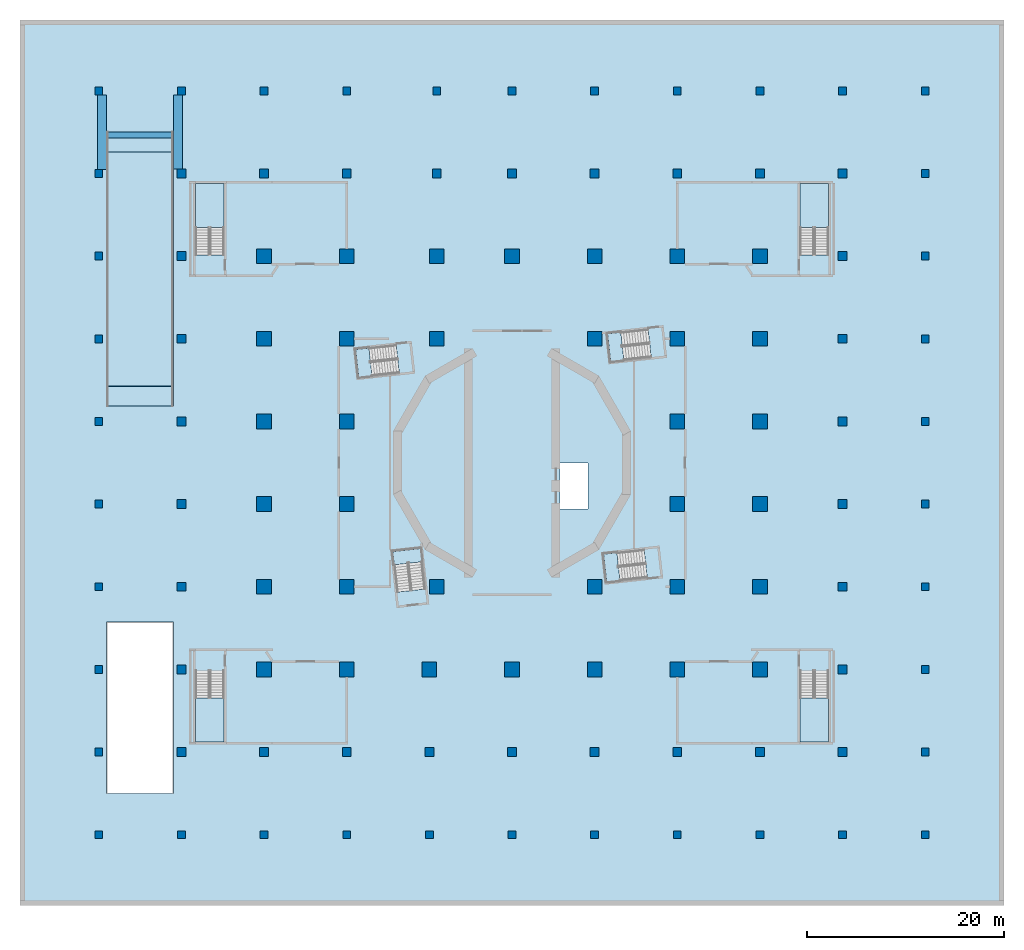
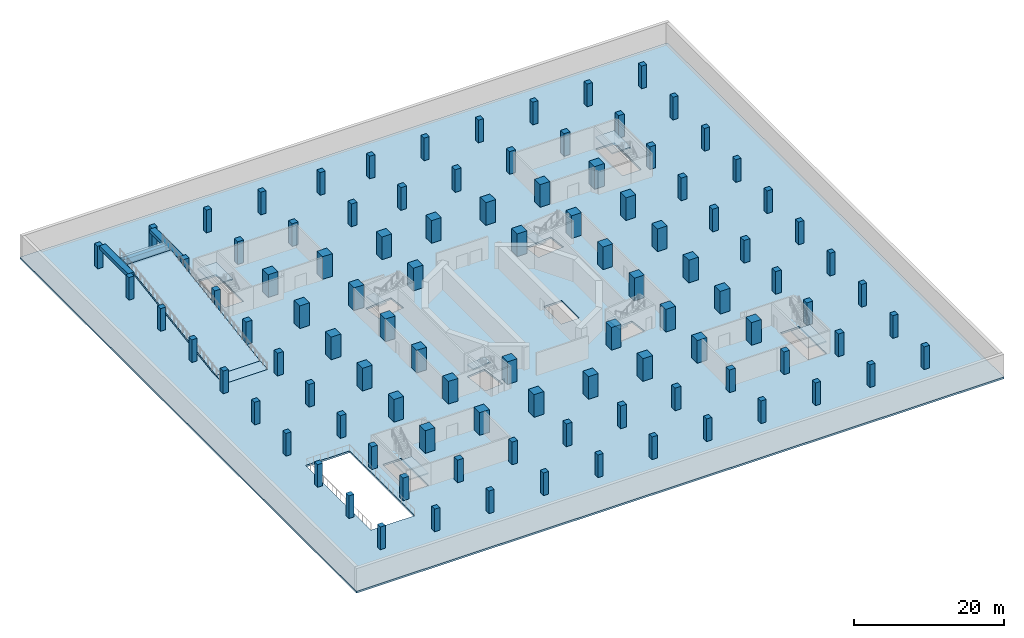
# One storey, part 1 of 18: 102 columns, 12 slabs, 3 beams, 8 elements without a shape of their own.
"""IFC4 building model written with IfcOpenShell, lengths in metres."""

from ifc_helpers import new_model, si_unit, direction, frame, origin, origin_2d, place, context, subcontext, project, spatial, polyline, rectangle, outline, extrude, clip, halfspace, material, layer, layer_set, material_profile, profile_set, type_object, element, aggregate, save


model = new_model("IFC4")

# Units and contexts
model_context = context("Model", 3, precision=1e-05, world=origin(), true_north=direction((0.0, 1.0)))
body_context = subcontext(model_context, "Body", "Model", "MODEL_VIEW")
ifc_project = project(units=[si_unit("LENGTHUNIT", "METRE"), si_unit("AREAUNIT", "SQUARE_METRE"), si_unit("VOLUMEUNIT", "CUBIC_METRE"), si_unit("PLANEANGLEUNIT", "RADIAN"), si_unit("MASSUNIT", "GRAM", prefix="KILO")], contexts=[model_context])

# Site, building, storey
site_placement = place(None, origin())
site = spatial("IfcSite", under=ifc_project, at=site_placement, CompositionType="ELEMENT")
building_placement = place(site_placement, origin())
building = spatial("IfcBuilding", under=site, at=building_placement, Name="Cantera Rosa Tower", CompositionType="ELEMENT")
storey_placement = place(building_placement, frame((0.0, 0.0, -13.0)))
storey = spatial("IfcBuildingStorey", under=building, at=storey_placement, Name="B3", CompositionType="ELEMENT", Elevation=-13.0)

# Columns
ifc_material_1 = material(Name="Concrete C60/75", Category="concrete")
ifc_material_profile_1 = material_profile(ifc_material_1, rectangle(XDim=1.5, YDim=1.5, at=origin_2d()), Name="Column 1500x1500")
ifc_profile_set_1 = profile_set([ifc_material_profile_1], Name="Concrete C60/75")
column_type_1 = type_object("IfcColumnType", Name="Column 1500x1500", PredefinedType="COLUMN", material=ifc_profile_set_1)
for number, where, z_axis, x_axis, name in (
    (1, (-25.199951171875, -21.0, 0.0), (0.0, 0.0, 1.0), (1.0, 0.0, 0.0), "Column C-P-2B"),
    (2, (-25.199951171875, -12.60009765625, 0.0), (0.0, 0.0, 1.0), (1.0, 0.0, 0.0), "Column C-P-2C"),
    (3, (-25.199951171875, -4.199951171875, 0.0), (0.0, 0.0, 1.0), (1.0, 0.0, 0.0), "Column C-P-2D"),
    (4, (-25.199951171875, 4.199951171875, 0.0), (0.0, 0.0, 1.0), (1.0, 0.0, 0.0), "Column C-P-2E"),
    (5, (-25.199951171875, 12.60009765625, 0.0), (0.0, 0.0, 1.0), (1.0, 0.0, 0.0), "Column C-P-2F"),
    (6, (-25.199951171875, 21.0, 0.0), (0.0, 0.0, 1.0), (1.0, 0.0, 0.0), "Column C-P-2G"),
    (7, (-16.800048828125, -21.0, 0.0), (0.0, 0.0, 1.0), (1.0, 0.0, 0.0), "Column C-P-3B"),
    (8, (-16.800048828125, -12.60009765625, 0.0), (0.0, 0.0, 1.0), (1.0, 0.0, 0.0), "Column C-P-3C"),
    (9, (-16.800048828125, -4.199951171875, 0.0), (0.0, 0.0, 1.0), (1.0, 0.0, 0.0), "Column C-P-3D"),
    (10, (-16.800048828125, 4.199951171875, 0.0), (0.0, 0.0, 1.0), (1.0, 0.0, 0.0), "Column C-P-3E"),
    (11, (-16.800048828125, 12.60009765625, 0.0), (0.0, 0.0, 1.0), (1.0, 0.0, 0.0), "Column C-P-3F"),
    (12, (-16.800048828125, 21.0, 0.0), (0.0, 0.0, 1.0), (1.0, 0.0, 0.0), "Column C-P-3G"),
    (13, (-8.39990234375, -21.0, 0.0), (0.0, 0.0, 1.0), (1.0, 0.0, 0.0), "Column C-P-4B"),
    (14, (-7.64990234375, -12.60009765625, 0.0), (0.0, 0.0, 1.0), (1.0, 0.0, 0.0), "Column C-P-4C"),
    (15, (-7.64990234375, 12.60009765625, 0.0), (0.0, 0.0, 1.0), (1.0, 0.0, 0.0), "Column C-B-4N2"),
    (16, (-7.64990234375, 21.0, 0.0), (0.0, 0.0, 1.0), (1.0, 0.0, 0.0), "Column C-B-4N3"),
    (17, (0.0, -21.0, 0.0), (0.0, 0.0, 1.0), (1.0, 0.0, 0.0), "Column C-P-5B"),
    (18, (0.0, 21.0, 0.0), (0.0, 0.0, 1.0), (1.0, 0.0, 0.0), "Column C-P-5G"),
    (19, (8.39990234375, -21.0, 0.0), (0.0, 0.0, 1.0), (1.0, 0.0, 0.0), "Column C-P-6B"),
    (20, (8.39990234375, -12.60009765625, 0.0), (0.0, 0.0, 1.0), (1.0, 0.0, 0.0), "Column C-P-6C"),
    (21, (8.39990234375, 12.60009765625, 0.0), (0.0, 0.0, 1.0), (1.0, 0.0, 0.0), "Column C-P-6F"),
    (22, (8.39990234375, 21.0, 0.0), (0.0, 0.0, 1.0), (1.0, 0.0, 0.0), "Column C-P-6G"),
    (23, (16.800048828125, -21.0, 0.0), (0.0, 0.0, 1.0), (1.0, 0.0, 0.0), "Column C-P-7B"),
    (24, (16.800048828125, -12.60009765625, 0.0), (0.0, 0.0, 1.0), (1.0, 0.0, 0.0), "Column C-P-7C"),
    (25, (16.800048828125, -4.199951171875, 0.0), (0.0, 0.0, 1.0), (1.0, 0.0, 0.0), "Column C-P-7D"),
    (26, (16.800048828125, 4.199951171875, 0.0), (0.0, 0.0, 1.0), (1.0, 0.0, 0.0), "Column C-P-7E"),
    (27, (16.800048828125, 12.60009765625, 0.0), (0.0, 0.0, 1.0), (1.0, 0.0, 0.0), "Column C-P-7F"),
    (28, (16.800048828125, 21.0, 0.0), (0.0, 0.0, 1.0), (1.0, 0.0, 0.0), "Column C-P-7G"),
    (29, (25.199951171875, -21.0, 0.0), (0.0, 0.0, 1.0), (1.0, 0.0, 0.0), "Column C-P-8B"),
    (30, (25.199951171875, -12.60009765625, 0.0), (0.0, 0.0, 1.0), (1.0, 0.0, 0.0), "Column C-P-8C"),
    (31, (25.199951171875, -4.199951171875, 0.0), (0.0, 0.0, 1.0), (1.0, 0.0, 0.0), "Column C-P-8D"),
    (32, (25.199951171875, 4.199951171875, 0.0), (0.0, 0.0, 1.0), (1.0, 0.0, 0.0), "Column C-P-8E"),
    (33, (25.199951171875, 12.60009765625, 0.0), (0.0, 0.0, 1.0), (1.0, 0.0, 0.0), "Column C-P-8F"),
    (34, (25.199951171875, 21.0, 0.0), (0.0, 0.0, 1.0), (1.0, 0.0, 0.0), "Column C-P-8G"),
):
    element("IfcColumn", number, at=place(storey_placement, frame(where, z_axis=z_axis, x_axis=x_axis)), inside=storey, type_object=column_type_1, Name=name, PredefinedType="COLUMN", context=body_context, shape_type="SweptSolid", body=[
        extrude(rectangle(XDim=1.5, YDim=1.5, at=origin_2d()), origin(), (0.0, 0.0, 1.0), 3.699951171875),
    ])
ifc_material_2 = material(Name="Concrete C60/75", Category="concrete")
ifc_material_profile_2 = material_profile(ifc_material_2, rectangle(XDim=0.800048828125, YDim=0.800048828125, at=origin_2d()), Name="Column 800x800")
ifc_profile_set_2 = profile_set([ifc_material_profile_2], Name="Concrete C60/75")
column_type_2 = type_object("IfcColumnType", Name="Column 800x800", PredefinedType="COLUMN", material=ifc_profile_set_2)
for number, where, z_axis, x_axis, name in (
    (35, (-42.0, -37.800048828125, 0.0), (0.0, 0.0, 1.0), (1.0, 0.0, 0.0), "Column C-B-0S5"),
    (36, (-42.0, -29.39990234375, 0.0), (0.0, 0.0, 1.0), (1.0, 0.0, 0.0), "Column C-B-0S4"),
    (37, (-42.0, -21.0, 0.0), (0.0, 0.0, 1.0), (1.0, 0.0, 0.0), "Column C-B-0S3"),
    (38, (-42.0, -12.60009765625, 0.0), (0.0, 0.0, 1.0), (1.0, 0.0, 0.0), "Column C-B-0S2"),
    (39, (-42.0, -4.199951171875, 0.0), (0.0, 0.0, 1.0), (1.0, 0.0, 0.0), "Column C-B-0S1"),
    (40, (-42.0, 4.199951171875, 0.0), (0.0, 0.0, 1.0), (1.0, 0.0, 0.0), "Column C-B-0N1"),
    (41, (-42.0, 12.60009765625, 0.0), (0.0, 0.0, 1.0), (1.0, 0.0, 0.0), "Column C-B-0N2"),
    (42, (-42.0, 21.0, 0.0), (0.0, 0.0, 1.0), (1.0, 0.0, 0.0), "Column C-B-0N3"),
    (43, (-42.0, 29.39990234375, 0.0), (0.0, 0.0, 1.0), (1.0, 0.0, 0.0), "Column C-B-0N4"),
    (44, (-42.0, 37.800048828125, 0.0), (0.0, 0.0, 1.0), (1.0, 0.0, 0.0), "Column C-B-0N5"),
    (45, (-33.60009765625, -37.800048828125, 0.0), (0.0, 0.0, 1.0), (1.0, 0.0, 0.0), "Column C-B-1S5"),
    (46, (-33.60009765625, 37.800048828125, 0.0), (0.0, 0.0, 1.0), (1.0, 0.0, 0.0), "Column C-B-1N5"),
    (47, (-25.199951171875, -37.800048828125, 0.0), (0.0, 0.0, 1.0), (1.0, 0.0, 0.0), "Column C-B-2S5"),
    (48, (-25.199951171875, 37.800048828125, 0.0), (0.0, 0.0, 1.0), (1.0, 0.0, 0.0), "Column C-B-2N5"),
    (49, (-16.800048828125, -37.800048828125, 0.0), (0.0, 0.0, 1.0), (1.0, 0.0, 0.0), "Column C-B-3S5"),
    (50, (-16.800048828125, 37.800048828125, 0.0), (0.0, 0.0, 1.0), (1.0, 0.0, 0.0), "Column C-B-3N5"),
    (51, (-8.39990234375, -37.800048828125, 0.0), (0.0, 0.0, 1.0), (1.0, 0.0, 0.0), "Column C-B-4S5"),
    (52, (-7.64990234375, 37.800048828125, 0.0), (0.0, 0.0, 1.0), (1.0, 0.0, 0.0), "Column C-B-4N5"),
    (53, (0.0, -37.800048828125, 0.0), (0.0, 0.0, 1.0), (1.0, 0.0, 0.0), "Column C-B-5S5"),
    (54, (0.0, 37.800048828125, 0.0), (0.0, 0.0, 1.0), (1.0, 0.0, 0.0), "Column C-B-5N5"),
    (55, (8.39990234375, -37.800048828125, 0.0), (0.0, 0.0, 1.0), (1.0, 0.0, 0.0), "Column C-B-6S5"),
    (56, (8.39990234375, 37.800048828125, 0.0), (0.0, 0.0, 1.0), (1.0, 0.0, 0.0), "Column C-B-6N5"),
    (57, (16.800048828125, -37.800048828125, 0.0), (0.0, 0.0, 1.0), (1.0, 0.0, 0.0), "Column C-B-7S5"),
    (58, (16.800048828125, 37.800048828125, 0.0), (0.0, 0.0, 1.0), (1.0, 0.0, 0.0), "Column C-B-7N5"),
    (59, (25.199951171875, -37.800048828125, 0.0), (0.0, 0.0, 1.0), (1.0, 0.0, 0.0), "Column C-B-8S5"),
    (60, (25.199951171875, 37.800048828125, 0.0), (0.0, 0.0, 1.0), (1.0, 0.0, 0.0), "Column C-B-8N5"),
    (61, (33.60009765625, -37.800048828125, 0.0), (0.0, 0.0, 1.0), (1.0, 0.0, 0.0), "Column C-B-9S5"),
    (62, (33.60009765625, 37.800048828125, 0.0), (0.0, 0.0, 1.0), (1.0, 0.0, 0.0), "Column C-B-9N5"),
    (63, (42.0, -37.800048828125, 0.0), (0.0, 0.0, 1.0), (1.0, 0.0, 0.0), "Column C-B-10S5"),
    (64, (42.0, -29.39990234375, 0.0), (0.0, 0.0, 1.0), (1.0, 0.0, 0.0), "Column C-B-10S4"),
    (65, (42.0, -21.0, 0.0), (0.0, 0.0, 1.0), (1.0, 0.0, 0.0), "Column C-B-10S3"),
    (66, (42.0, -12.60009765625, 0.0), (0.0, 0.0, 1.0), (1.0, 0.0, 0.0), "Column C-B-10S2"),
    (67, (42.0, -4.199951171875, 0.0), (0.0, 0.0, 1.0), (1.0, 0.0, 0.0), "Column C-B-10S1"),
    (68, (42.0, 4.199951171875, 0.0), (0.0, 0.0, 1.0), (1.0, 0.0, 0.0), "Column C-B-10N1"),
    (69, (42.0, 12.60009765625, 0.0), (0.0, 0.0, 1.0), (1.0, 0.0, 0.0), "Column C-B-10N2"),
    (70, (42.0, 21.0, 0.0), (0.0, 0.0, 1.0), (1.0, 0.0, 0.0), "Column C-B-10N3"),
    (71, (42.0, 29.39990234375, 0.0), (0.0, 0.0, 1.0), (1.0, 0.0, 0.0), "Column C-B-10N4"),
    (72, (42.0, 37.800048828125, 0.0), (0.0, 0.0, 1.0), (1.0, 0.0, 0.0), "Column C-B-10N5"),
):
    element("IfcColumn", number, at=place(storey_placement, frame(where, z_axis=z_axis, x_axis=x_axis)), inside=storey, type_object=column_type_2, Name=name, PredefinedType="COLUMN", context=body_context, shape_type="SweptSolid", body=[
        extrude(rectangle(XDim=0.800048828125, YDim=0.800048828125, at=origin_2d()), origin(), (0.0, 0.0, 1.0), 3.699951171875),
    ])
ifc_material_3 = material(Name="Concrete C60/75", Category="concrete")
ifc_material_profile_3 = material_profile(ifc_material_3, rectangle(XDim=0.89990234375, YDim=0.89990234375, at=origin_2d()), Name="Column 900x900")
ifc_profile_set_3 = profile_set([ifc_material_profile_3], Name="Concrete C60/75")
column_type_3 = type_object("IfcColumnType", Name="Column 900x900", PredefinedType="COLUMN", material=ifc_profile_set_3)
for number, where, z_axis, x_axis, name in (
    (73, (-33.60009765625, -29.39990234375, 0.0), (0.0, 0.0, 1.0), (1.0, 0.0, 0.0), "Column C-P-1A"),
    (74, (-33.60009765625, -21.0, 0.0), (0.0, 0.0, 1.0), (1.0, 0.0, 0.0), "Column C-P-1B"),
    (75, (-33.60009765625, -12.60009765625, 0.0), (0.0, 0.0, 1.0), (1.0, 0.0, 0.0), "Column C-P-1C"),
    (76, (-33.60009765625, -4.199951171875, 0.0), (0.0, 0.0, 1.0), (1.0, 0.0, 0.0), "Column C-P-1D"),
    (77, (-33.60009765625, 4.199951171875, 0.0), (0.0, 0.0, 1.0), (1.0, 0.0, 0.0), "Column C-P-1E"),
    (78, (-33.60009765625, 12.60009765625, 0.0), (0.0, 0.0, 1.0), (1.0, 0.0, 0.0), "Column C-P-1F"),
    (79, (-33.60009765625, 21.0, 0.0), (0.0, 0.0, 1.0), (1.0, 0.0, 0.0), "Column C-P-1G"),
    (80, (-33.60009765625, 29.39990234375, 0.0), (0.0, 0.0, 1.0), (1.0, 0.0, 0.0), "Column C-P-1H"),
    (81, (-25.199951171875, -29.39990234375, 0.0), (0.0, 0.0, 1.0), (1.0, 0.0, 0.0), "Column C-P-2A"),
    (82, (-25.199951171875, 29.39990234375, 0.0), (0.0, 0.0, 1.0), (1.0, 0.0, 0.0), "Column C-P-2H"),
    (83, (-16.800048828125, -29.39990234375, 0.0), (0.0, 0.0, 1.0), (1.0, 0.0, 0.0), "Column C-P-3A"),
    (84, (-16.800048828125, 29.39990234375, 0.0), (0.0, 0.0, 1.0), (1.0, 0.0, 0.0), "Column C-P-3H"),
    (85, (-8.39990234375, -29.39990234375, 0.0), (0.0, 0.0, 1.0), (1.0, 0.0, 0.0), "Column C-P-4A"),
    (86, (-7.64990234375, 29.39990234375, 0.0), (0.0, 0.0, 1.0), (1.0, 0.0, 0.0), "Column C-B-4N4"),
    (87, (0.0, -29.39990234375, 0.0), (0.0, 0.0, 1.0), (1.0, 0.0, 0.0), "Column C-P-5A"),
    (88, (0.0, 29.39990234375, 0.0), (0.0, 0.0, 1.0), (1.0, 0.0, 0.0), "Column C-P-5H"),
    (89, (8.39990234375, -29.39990234375, 0.0), (0.0, 0.0, 1.0), (1.0, 0.0, 0.0), "Column C-P-6A"),
    (90, (8.39990234375, 29.39990234375, 0.0), (0.0, 0.0, 1.0), (1.0, 0.0, 0.0), "Column C-P-6H"),
    (91, (16.800048828125, -29.39990234375, 0.0), (0.0, 0.0, 1.0), (1.0, 0.0, 0.0), "Column C-P-7A"),
    (92, (16.800048828125, 29.39990234375, 0.0), (0.0, 0.0, 1.0), (1.0, 0.0, 0.0), "Column C-P-7H"),
    (93, (25.199951171875, -29.39990234375, 0.0), (0.0, 0.0, 1.0), (1.0, 0.0, 0.0), "Column C-P-8A"),
    (94, (25.199951171875, 29.39990234375, 0.0), (0.0, 0.0, 1.0), (1.0, 0.0, 0.0), "Column C-P-8H"),
    (95, (33.60009765625, -29.39990234375, 0.0), (0.0, 0.0, 1.0), (1.0, 0.0, 0.0), "Column C-P-9A"),
    (96, (33.60009765625, -21.0, 0.0), (0.0, 0.0, 1.0), (1.0, 0.0, 0.0), "Column C-P-9B"),
    (97, (33.60009765625, -12.60009765625, 0.0), (0.0, 0.0, 1.0), (1.0, 0.0, 0.0), "Column C-P-9C"),
    (98, (33.60009765625, -4.199951171875, 0.0), (0.0, 0.0, 1.0), (1.0, 0.0, 0.0), "Column C-P-9D"),
    (99, (33.60009765625, 4.199951171875, 0.0), (0.0, 0.0, 1.0), (1.0, 0.0, 0.0), "Column C-P-9E"),
    (100, (33.60009765625, 12.60009765625, 0.0), (0.0, 0.0, 1.0), (1.0, 0.0, 0.0), "Column C-P-9F"),
    (101, (33.60009765625, 21.0, 0.0), (0.0, 0.0, 1.0), (1.0, 0.0, 0.0), "Column C-P-9G"),
    (102, (33.60009765625, 29.39990234375, 0.0), (0.0, 0.0, 1.0), (1.0, 0.0, 0.0), "Column C-P-9H"),
):
    element("IfcColumn", number, at=place(storey_placement, frame(where, z_axis=z_axis, x_axis=x_axis)), inside=storey, type_object=column_type_3, Name=name, PredefinedType="COLUMN", context=body_context, shape_type="SweptSolid", body=[
        extrude(rectangle(XDim=0.89990234375, YDim=0.89990234375, at=origin_2d()), origin(), (0.0, 0.0, 1.0), 3.699951171875),
    ])

# Beams
ifc_material_4 = material(Name="Concrete C35/45", Category="concrete")
ifc_material_profile_4 = material_profile(ifc_material_4, rectangle(XDim=0.60009765625, YDim=0.800048828125, at=origin_2d()), Name="RC cross beam 600x800")
ifc_profile_set_4 = profile_set([ifc_material_profile_4], Name="Concrete C35/45")
beam_type_1 = type_object("IfcBeamType", Name="RC cross beam 600x800", PredefinedType="BEAM", material=ifc_profile_set_4)
beam_1_placement = place(storey_placement, frame((-41.199951171875, 33.300048828125, 3.248779296875), z_axis=(1.0, 0.0, 0.0), x_axis=(0.0, 1.0, 0.0)))
element("IfcBeam", 103, at=beam_1_placement, inside=storey, type_object=beam_type_1, Name="Ramp cross beam RX3", PredefinedType="BEAM", context=body_context, shape_type="SweptSolid", body=[
    extrude(rectangle(XDim=0.60009765625, YDim=0.800048828125, at=origin_2d()), origin(), (0.0, 0.0, 1.0), 6.800048828125),
])
ifc_material_5 = material(Name="Concrete C35/45", Category="concrete")
ifc_material_profile_5 = material_profile(ifc_material_5, rectangle(XDim=0.89990234375, YDim=0.60009765625, at=origin_2d()), Name="RC edge beam 900x600")
ifc_profile_set_5 = profile_set([ifc_material_profile_5], Name="Concrete C35/45")
beam_type_2 = type_object("IfcBeamType", Name="RC edge beam 900x600", PredefinedType="BEAM", material=ifc_profile_set_5)
beam_2_placement = place(storey_placement, frame((-41.64990234375, 29.800048828125, 3.39990234375), z_axis=(0.0, 1.0, 0.0), x_axis=(-1.0, 0.0, 0.0)))
element("IfcBeam", 104, at=beam_2_placement, inside=storey, type_object=beam_type_2, Name="Ramp edge beam RE3-W", PredefinedType="BEAM", context=body_context, shape_type="SweptSolid", body=[
    extrude(rectangle(XDim=0.89990234375, YDim=0.60009765625, at=origin_2d()), origin(), (0.0, 0.0, 1.0), 7.599853515625),
])
beam_3_placement = place(storey_placement, frame((-33.949951171875, 29.85009765625, 3.39990234375), z_axis=(0.0, 1.0, 0.0), x_axis=(-1.0, 0.0, 0.0)))
element("IfcBeam", 105, at=beam_3_placement, inside=storey, type_object=beam_type_2, Name="Ramp edge beam RE3-E", PredefinedType="BEAM", context=body_context, shape_type="SweptSolid", body=[
    extrude(rectangle(XDim=0.89990234375, YDim=0.60009765625, at=origin_2d()), origin(), (0.0, 0.0, 1.0), 7.5498046875),
])

# Slabs
ifc_material_6 = material(Name="Concrete C35/45", Category="concrete")
ifc_layer_1 = layer(ifc_material_6, 0.300048828125)
ifc_layer_set_1 = layer_set([ifc_layer_1], Name="Flat slab 300")
slab_type_1 = type_object("IfcSlabType", Name="Flat slab 300", PredefinedType="FLOOR", material=ifc_layer_set_1)
slab_1_placement = place(storey_placement, frame((0.0, 0.0, -0.300048828125)))
element("IfcSlab", 106, at=slab_1_placement, inside=storey, type_object=slab_type_1, Name="Floor slab B3", PredefinedType="FLOOR", context=body_context, shape_type="SweptSolid", body=[
    extrude(outline(polyline([(-50.0, -45.0), (50.0, -45.0), (50.0, 45.0), (-50.0, 45.0), (-50.0, -45.0)]), holes=[polyline([(29.27490234375, -28.375), (32.175048828125, -28.375), (32.175048828125, -21.136962890625), (29.27490234375, -21.136962890625), (29.27490234375, -28.375)]), polyline([(32.175048828125, 28.375), (29.27490234375, 28.375), (29.27490234375, 21.136962890625), (32.175048828125, 21.136962890625), (32.175048828125, 28.375)]), polyline([(9.709716796875, 13.11279296875), (10.02392578125, 10.2802734375), (14.13671875, 10.73681640625), (13.822265625, 13.5693359375), (9.709716796875, 13.11279296875)]), polyline([(9.3095703125, -9.287109375), (9.6240234375, -12.11962890625), (13.73681640625, -11.6630859375), (13.42236328125, -8.83056640625), (9.3095703125, -9.287109375)]), polyline([(4.89990234375, -4.699951171875), (7.699951171875, -4.699951171875), (7.699951171875, 0.0), (4.89990234375, 0.0), (4.89990234375, -4.699951171875)]), polyline([(-12.11962890625, -9.02392578125), (-11.6630859375, -13.13671875), (-8.83056640625, -12.822265625), (-9.287109375, -8.709716796875), (-12.11962890625, -9.02392578125)]), polyline([(-15.890380859375, 11.512939453125), (-15.575927734375, 8.680419921875), (-11.46337890625, 9.13671875), (-11.777587890625, 11.969482421875), (-15.890380859375, 11.512939453125)]), polyline([(-29.27490234375, -28.375), (-29.27490234375, -21.136962890625), (-32.175048828125, -21.136962890625), (-32.175048828125, -28.375), (-29.27490234375, -28.375)]), polyline([(-32.175048828125, 28.375), (-32.175048828125, 21.136962890625), (-29.27490234375, 21.136962890625), (-29.27490234375, 28.375), (-32.175048828125, 28.375)]), polyline([(-41.199951171875, -16.166748046875), (-41.199951171875, -33.60009765625), (-34.39990234375, -33.60009765625), (-34.39990234375, -16.166748046875), (-41.199951171875, -16.166748046875)])]), origin(), (0.0, 0.0, 1.0), 0.300048828125),
])
ifc_material_7 = material(Name="Concrete C35/45", Category="concrete")
ifc_layer_2 = layer(ifc_material_7, 0.300048828125)
ifc_layer_set_2 = layer_set([ifc_layer_2], Name="RC ramp slab 300 C35/45")
slab_type_2 = type_object("IfcSlabType", Name="RC ramp slab 300", PredefinedType="FLOOR", material=ifc_layer_set_2)
slab_2_placement = place(storey_placement, frame((-41.199951171875, 5.7666015625, 0.0), z_axis=(0.0, -0.083085749549, 0.996542401618), x_axis=(1.0, 0.0, 0.0)))
element("IfcSlab", 107, at=slab_2_placement, inside=storey, type_object=slab_type_2, Name="Vehicle ramp RP3 slab 1", PredefinedType="FLOOR", context=body_context, shape_type="Clipping", body=[
    clip(extrude(outline(polyline([(0.0, 0.0), (6.800048828125, 0.0), (6.800048828125, 2.0069391896957485), (0.0, 2.0069391896957485), (0.0, 0.0)])), origin(), (0.0, 0.0, -1.0), 0.300048828125), halfspace(frame((0.0, 0.0, 0.0), z_axis=(0.0, 0.083085749549, 0.996542401618), x_axis=(1.0, 0.0, 0.0)), True)),
])
slab_3_placement = place(storey_placement, frame((-41.199951171875, 7.7666015625, 0.166748046875), z_axis=(0.0, -0.152049576252, 0.988372868082), x_axis=(1.0, 0.0, 0.0)))
element("IfcSlab", 108, at=slab_3_placement, inside=storey, type_object=slab_type_2, Name="Vehicle ramp RP3 slab 2", PredefinedType="FLOOR", context=body_context, shape_type="Clipping", body=[
    clip(extrude(outline(polyline([(0.0, 0.0), (6.800048828125, 0.0), (6.800048828125, 24.113871255883883), (0.0, 24.113871255883883), (0.0, 0.0)])), origin(), (0.0, 0.0, -1.0), 0.300048828125), halfspace(frame((0.0, -0.025390625, -0.164794921875), z_axis=(0.0, 0.152049576252, 0.988372868082), x_axis=(1.0, 0.0, 0.0)), True)),
])
slab_4_placement = place(storey_placement, frame((-41.199951171875, 31.60009765625, 3.833251953125), z_axis=(0.0, -0.083085749549, 0.996542401618), x_axis=(1.0, 0.0, 0.0)))
element("IfcSlab", 109, at=slab_4_placement, inside=storey, type_object=slab_type_2, Name="Vehicle ramp RP3 slab 3", PredefinedType="FLOOR", context=body_context, shape_type="Clipping", body=[
    clip(extrude(outline(polyline([(0.0, 0.0), (6.800048828125, 0.0), (6.800048828125, 2.0069391896957485), (0.0, 2.0069391896957485), (0.0, 0.0)])), origin(), (0.0, 0.0, -1.0), 0.300048828125), halfspace(frame((0.0, -0.318603515625, -3.820068359375), z_axis=(0.0, 0.083085749549, 0.996542401618), x_axis=(1.0, 0.0, 0.0)), True)),
])

# Stair, slab
ifc_material_8 = material(Name="Concrete C35/45", Category="concrete")
stair_type_1 = type_object("IfcStairType", Name="EXIT STAIR 1350 DOGLEG", PredefinedType="HALF_TURN_STAIR", material=ifc_material_8)
stair_1_placement = place(storey_placement, origin())
stair_1 = element("IfcStair", 110, at=stair_1_placement, inside=storey, type_object=stair_type_1, Name="B3 ST-11", PredefinedType="HALF_TURN_STAIR")
ifc_material_9 = material(Name="Concrete C35/45", Category="concrete")
ifc_layer_3 = layer(ifc_material_9, 0.199951171875)
ifc_layer_set_3 = layer_set([ifc_layer_3], Name="STAIR LANDING 200")
slab_type_3 = type_object("IfcSlabType", Name="STAIR LANDING 200", PredefinedType="LANDING", material=ifc_layer_set_3)
slab_5_placement = place(storey_placement, frame((0.0, 0.0, 1.800048828125)))
slab_5 = element("IfcSlab", 111, at=slab_5_placement, type_object=slab_type_3, Name="ST-11 landing 1", PredefinedType="LANDING", context=body_context, shape_type="SweptSolid", body=[
    extrude(outline(polyline([(11.063232421875, 13.26318359375), (9.70947265625, 13.113037109375), (10.02392578125, 10.2802734375), (11.377685546875, 10.4306640625), (11.063232421875, 13.26318359375)])), origin(), (0.0, 0.0, 1.0), 0.199951171875),
])
aggregate(stair_1, [slab_5])

stair_2_placement = place(storey_placement, origin())
stair_2 = element("IfcStair", 112, at=stair_2_placement, inside=storey, type_object=stair_type_1, Name="B3 ST-12", PredefinedType="HALF_TURN_STAIR")
slab_6_placement = place(storey_placement, frame((0.0, 0.0, 1.800048828125)))
slab_6 = element("IfcSlab", 113, at=slab_6_placement, type_object=slab_type_3, Name="ST-12 landing 1", PredefinedType="LANDING", context=body_context, shape_type="SweptSolid", body=[
    extrude(outline(polyline([(-14.53662109375, 11.6630859375), (-15.890380859375, 11.512939453125), (-15.575927734375, 8.680419921875), (-14.222412109375, 8.83056640625), (-14.53662109375, 11.6630859375)])), origin(), (0.0, 0.0, 1.0), 0.199951171875),
])
aggregate(stair_2, [slab_6])

stair_3_placement = place(storey_placement, origin())
stair_3 = element("IfcStair", 114, at=stair_3_placement, inside=storey, type_object=stair_type_1, Name="B3 ST-13", PredefinedType="HALF_TURN_STAIR")
slab_7_placement = place(storey_placement, frame((0.0, 0.0, 1.800048828125)))
slab_7 = element("IfcSlab", 115, at=slab_7_placement, type_object=slab_type_3, Name="ST-13 landing 1", PredefinedType="LANDING", context=body_context, shape_type="SweptSolid", body=[
    extrude(outline(polyline([(-9.13671875, -10.063232421875), (-9.287109375, -8.70947265625), (-12.11962890625, -9.02392578125), (-11.969482421875, -10.377685546875), (-9.13671875, -10.063232421875)])), origin(), (0.0, 0.0, 1.0), 0.199951171875),
])
aggregate(stair_3, [slab_7])

stair_4_placement = place(storey_placement, origin())
stair_4 = element("IfcStair", 116, at=stair_4_placement, inside=storey, type_object=stair_type_1, Name="B3 ST-14", PredefinedType="HALF_TURN_STAIR")
slab_8_placement = place(storey_placement, frame((0.0, 0.0, 1.800048828125)))
slab_8 = element("IfcSlab", 117, at=slab_8_placement, type_object=slab_type_3, Name="ST-14 landing 1", PredefinedType="LANDING", context=body_context, shape_type="SweptSolid", body=[
    extrude(outline(polyline([(10.663330078125, -9.13671875), (9.3095703125, -9.287109375), (9.6240234375, -12.11962890625), (10.977783203125, -11.969482421875), (10.663330078125, -9.13671875)])), origin(), (0.0, 0.0, 1.0), 0.199951171875),
])
aggregate(stair_4, [slab_8])

ifc_material_10 = material(Name="Concrete C35/45", Category="concrete")
stair_type_2 = type_object("IfcStairType", Name="Stair half-turn 1350", PredefinedType="HALF_TURN_STAIR", material=ifc_material_10)
stair_5_placement = place(storey_placement, origin())
stair_5 = element("IfcStair", 118, at=stair_5_placement, inside=storey, type_object=stair_type_2, Name="B3 ST-NE", PredefinedType="HALF_TURN_STAIR")
ifc_material_11 = material(Name="Concrete C35/45", Category="concrete")
ifc_layer_4 = layer(ifc_material_11, 0.199951171875)
ifc_layer_set_4 = layer_set([ifc_layer_4], Name="Stair landing 200")
slab_type_4 = type_object("IfcSlabType", Name="Stair landing 200", PredefinedType="LANDING", material=ifc_layer_set_4)
slab_9_placement = place(storey_placement, frame((0.0, 0.0, 1.800048828125)))
slab_9 = element("IfcSlab", 119, at=slab_9_placement, type_object=slab_type_4, Name="ST-NE landing 1", PredefinedType="LANDING", context=body_context, shape_type="SweptSolid", body=[
    extrude(outline(polyline([(32.175048828125, 23.9130859375), (32.175048828125, 28.375), (29.27490234375, 28.375), (29.27490234375, 23.9130859375), (32.175048828125, 23.9130859375)])), origin(), (0.0, 0.0, 1.0), 0.199951171875),
])
aggregate(stair_5, [slab_9])

stair_6_placement = place(storey_placement, origin())
stair_6 = element("IfcStair", 120, at=stair_6_placement, inside=storey, type_object=stair_type_2, Name="B3 ST-NW", PredefinedType="HALF_TURN_STAIR")
slab_10_placement = place(storey_placement, frame((0.0, 0.0, 1.800048828125)))
slab_10 = element("IfcSlab", 121, at=slab_10_placement, type_object=slab_type_4, Name="ST-NW landing 1", PredefinedType="LANDING", context=body_context, shape_type="SweptSolid", body=[
    extrude(outline(polyline([(-29.27490234375, 23.9130859375), (-29.27490234375, 28.375), (-32.175048828125, 28.375), (-32.175048828125, 23.9130859375), (-29.27490234375, 23.9130859375)])), origin(), (0.0, 0.0, 1.0), 0.199951171875),
])
aggregate(stair_6, [slab_10])

stair_7_placement = place(storey_placement, origin())
stair_7 = element("IfcStair", 122, at=stair_7_placement, inside=storey, type_object=stair_type_2, Name="B3 ST-SE", PredefinedType="HALF_TURN_STAIR")
slab_11_placement = place(storey_placement, frame((0.0, 0.0, 1.800048828125)))
slab_11 = element("IfcSlab", 123, at=slab_11_placement, type_object=slab_type_4, Name="ST-SE landing 1", PredefinedType="LANDING", context=body_context, shape_type="SweptSolid", body=[
    extrude(outline(polyline([(29.27490234375, -23.9130859375), (29.27490234375, -28.375), (32.175048828125, -28.375), (32.175048828125, -23.9130859375), (29.27490234375, -23.9130859375)])), origin(), (0.0, 0.0, 1.0), 0.199951171875),
])
aggregate(stair_7, [slab_11])

stair_8_placement = place(storey_placement, origin())
stair_8 = element("IfcStair", 124, at=stair_8_placement, inside=storey, type_object=stair_type_2, Name="B3 ST-SW", PredefinedType="HALF_TURN_STAIR")
slab_12_placement = place(storey_placement, frame((0.0, 0.0, 1.800048828125)))
slab_12 = element("IfcSlab", 125, at=slab_12_placement, type_object=slab_type_4, Name="ST-SW landing 1", PredefinedType="LANDING", context=body_context, shape_type="SweptSolid", body=[
    extrude(outline(polyline([(-32.175048828125, -23.9130859375), (-32.175048828125, -28.375), (-29.27490234375, -28.375), (-29.27490234375, -23.9130859375), (-32.175048828125, -23.9130859375)])), origin(), (0.0, 0.0, 1.0), 0.199951171875),
])
aggregate(stair_8, [slab_12])

save(model, "model.ifc")
